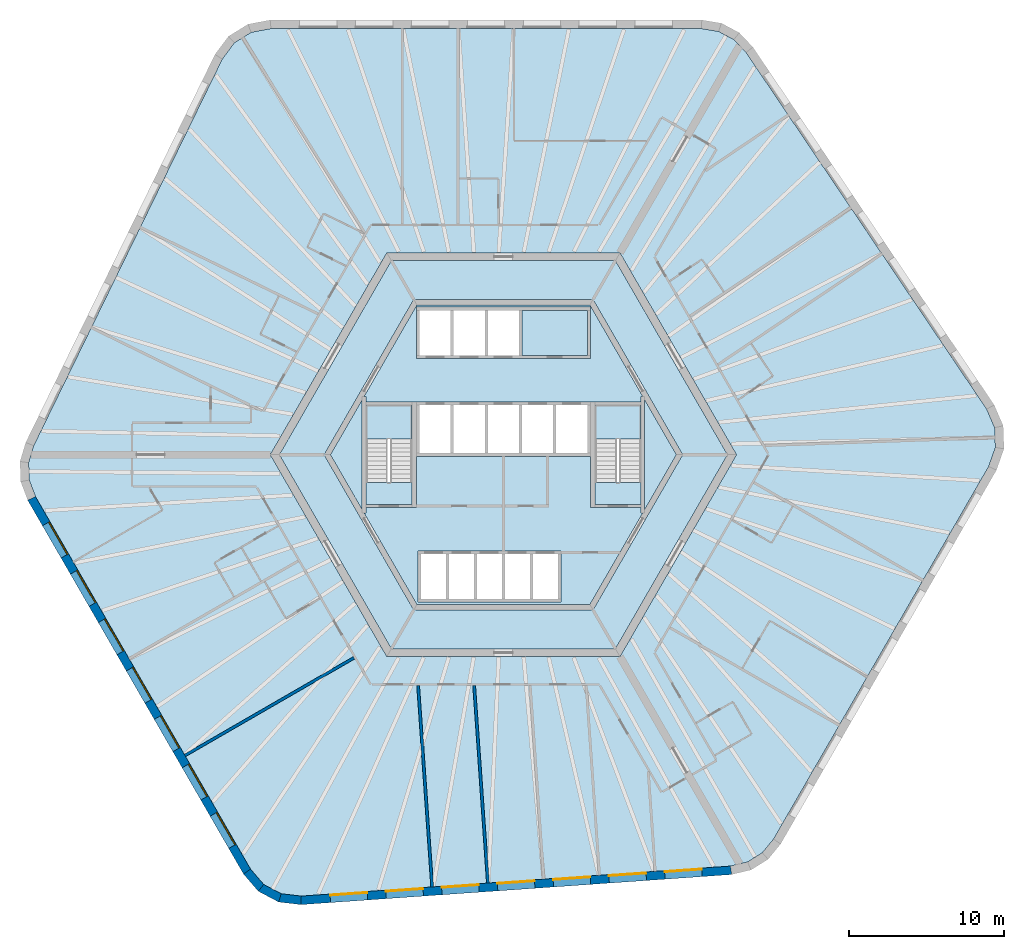
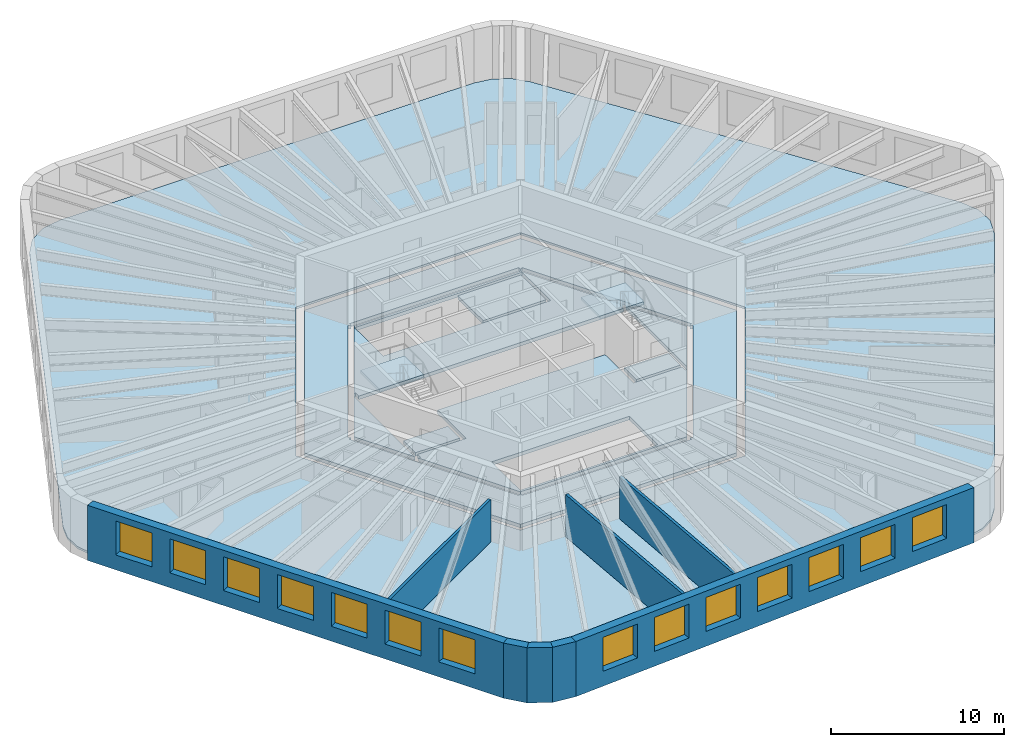
# One storey, part 2 of 10: 14 windows, 11 slabs, 8 walls, 14 openings, 2 elements without a shape of their own.
"""IFC4 building model written with IfcOpenShell, lengths in metres."""

from ifc_helpers import new_model, si_unit, direction, frame, frame_2d, origin, place, context, subcontext, project, spatial, polyline, rectangle, outline, extrude, material, layer, layer_set, type_object, element, fill, aggregate, save


model = new_model("IFC4")

# Units and contexts
model_context = context("Model", 3, precision=1e-05, world=origin(), true_north=direction((0.0, 1.0)))
body_context = subcontext(model_context, "Body", "Model", "MODEL_VIEW")
ifc_project = project(units=[si_unit("LENGTHUNIT", "METRE"), si_unit("AREAUNIT", "SQUARE_METRE"), si_unit("VOLUMEUNIT", "CUBIC_METRE"), si_unit("PLANEANGLEUNIT", "RADIAN"), si_unit("MASSUNIT", "GRAM", prefix="KILO")], contexts=[model_context])

# Site, building, storey
site_placement = place(None, origin())
site = spatial("IfcSite", under=ifc_project, at=site_placement, CompositionType="ELEMENT")
building_placement = place(site_placement, origin())
building = spatial("IfcBuilding", under=site, at=building_placement, Name="Tarnside Tower", CompositionType="ELEMENT")
storey_placement = place(building_placement, frame((0.0, 0.0, 234.60009765625)))
storey = spatial("IfcBuildingStorey", under=building, at=storey_placement, Name="L56", CompositionType="ELEMENT", Elevation=234.60009765625)

# Slabs
ifc_material_1 = material(Name="Concrete C35/45", Category="concrete")
ifc_layer_1 = layer(ifc_material_1, 0.14990234375)
ifc_layer_set_1 = layer_set([ifc_layer_1], Name="Composite floor slab 150")
slab_type_1 = type_object("IfcSlabType", Name="Composite floor slab 150", PredefinedType="FLOOR", material=ifc_layer_set_1)
slab_1_placement = place(storey_placement, frame((0.0, 0.0, -0.150146484375)))
element("IfcSlab", 1, at=slab_1_placement, inside=storey, type_object=slab_type_1, Name="Floor slab L56", PredefinedType="FLOOR", context=body_context, shape_type="SweptSolid", body=[
    extrude(outline(polyline([(13.864013671875, 27.264892578125), (14.85107421875, 26.740234375), (15.6337890625, 25.91064453125), (31.12890625, 2.938232421875), (31.644287109375, 1.7431640625), (31.68896484375, 0.468505859375), (31.258056640625, -0.759521484375), (17.403076171875, -24.7568359375), (16.68017578125, -25.63916015625), (15.732177734375, -26.2314453125), (14.622314453125, -26.494384765625), (-13.02001953125, -28.427490234375), (-14.3125, -28.2763671875), (-15.438720703125, -27.677490234375), (-16.286865234375, -26.6904296875), (-30.1416015625, -2.693115234375), (-30.544189453125, -1.6259765625), (-30.583251953125, -0.5087890625), (-30.256103515625, 0.583984375), (-18.10888671875, 25.4892578125), (-17.331787109375, 26.533203125), (-16.250244140625, 27.208984375), (-14.97119140625, 27.449951171875), (12.738525390625, 27.449951171875), (13.864013671875, 27.264892578125)]), holes=[polyline([(-15.010986328125, 0.0), (-7.505615234375, -13.0), (7.505615234375, -13.0), (15.010986328125, 0.0), (7.505615234375, 13.0), (-7.505615234375, 13.0), (-15.010986328125, 0.0)])]), origin(), (0.0, 0.0, 1.0), 0.150146484375),
])
ifc_material_2 = material(Name="Concrete C40/50", Category="concrete")
ifc_layer_2 = layer(ifc_material_2, 0.25)
ifc_layer_set_2 = layer_set([ifc_layer_2], Name="Core slab C40/50")
slab_type_2 = type_object("IfcSlabType", Name="Core slab C40/50", PredefinedType="FLOOR", material=ifc_layer_set_2)
slab_2_placement = place(storey_placement, frame((0.0, 0.0, -0.25)))
element("IfcSlab", 2, at=slab_2_placement, inside=storey, type_object=slab_type_2, Name="L56 core floor slab 1", PredefinedType="FLOOR", context=body_context, shape_type="SweptSolid", body=[
    extrude(outline(polyline([(-7.216796875, 12.5), (7.216796875, 12.5), (14.433837890625, 0.0), (7.216796875, -12.5), (-7.216796875, -12.5), (-14.433837890625, 0.0), (-7.216796875, 12.5)]), holes=[polyline([(5.823974609375, -9.91259765625), (11.49658203125, -0.08740234375), (11.344970703125, 0.0), (11.49658203125, 0.08740234375), (5.823974609375, 9.91259765625), (5.672607421875, 9.824951171875), (5.672607421875, 10.0), (-5.672607421875, 10.0), (-5.672607421875, 9.824951171875), (-5.823974609375, 9.91259765625), (-11.49658203125, 0.08740234375), (-11.344970703125, 0.0), (-11.49658203125, -0.08740234375), (-5.823974609375, -9.91259765625), (-5.672607421875, -9.824951171875), (-5.672607421875, -10.0), (5.672607421875, -10.0), (5.672607421875, -9.824951171875), (5.823974609375, -9.91259765625)])]), origin(), (0.0, 0.0, 1.0), 0.25),
])
slab_3_placement = place(storey_placement, frame((0.0, 0.0, -0.25)))
element("IfcSlab", 3, at=slab_3_placement, inside=storey, type_object=slab_type_2, Name="L56 core floor slab 2", PredefinedType="FLOOR", context=body_context, shape_type="SweptSolid", body=[
    extrude(outline(polyline([(-8.97509765625, 3.7548828125), (-5.5712890625, 9.64990234375), (5.5712890625, 9.64990234375), (8.97509765625, 3.7548828125), (8.85009765625, 3.7548828125), (8.85009765625, 3.39990234375), (5.89990234375, 3.39990234375), (5.60009765625, 3.39990234375), (5.60009765625, 3.39990234375), (-5.60009765625, 3.39990234375), (-5.89990234375, 3.39990234375), (-8.85009765625, 3.39990234375), (-8.85009765625, 3.7548828125), (-8.97509765625, 3.7548828125)]), holes=[polyline([(-5.60009765625, 6.199951171875), (5.60009765625, 6.199951171875), (5.60009765625, 6.39990234375), (5.60009765625, 9.300048828125), (5.60009765625, 9.5), (-5.60009765625, 9.5), (-5.60009765625, 9.300048828125), (-5.60009765625, 6.39990234375), (-5.60009765625, 6.199951171875)])]), origin(), (0.0, 0.0, 1.0), 0.25),
])
slab_4_placement = place(storey_placement, frame((0.0, 0.0, -0.25)))
element("IfcSlab", 4, at=slab_4_placement, inside=storey, type_object=slab_type_2, Name="L56 core floor slab 3", PredefinedType="FLOOR", context=body_context, shape_type="SweptSolid", body=[
    extrude(outline(polyline([(5.60009765625, -3.39990234375), (5.89990234375, -3.39990234375), (8.85009765625, -3.39990234375), (8.85009765625, -3.7548828125), (8.97509765625, -3.7548828125), (5.5712890625, -9.64990234375), (-5.5712890625, -9.64990234375), (-8.97509765625, -3.7548828125), (-8.85009765625, -3.7548828125), (-8.85009765625, -3.39990234375), (-5.89990234375, -3.39990234375), (-5.60009765625, -3.39990234375), (-5.60009765625, -0.10009765625), (5.60009765625, -0.10009765625), (5.60009765625, -3.39990234375)]), holes=[polyline([(-5.5, -9.300048828125), (-5.5, -9.5), (3.699951171875, -9.5), (3.699951171875, -9.300048828125), (3.699951171875, -6.39990234375), (3.699951171875, -6.199951171875), (-5.5, -6.199951171875), (-5.5, -6.39990234375), (-5.5, -9.300048828125)])]), origin(), (0.0, 0.0, 1.0), 0.25),
])
slab_5_placement = place(storey_placement, frame((0.0, 0.0, -0.25)))
element("IfcSlab", 5, at=slab_5_placement, inside=storey, type_object=slab_type_2, Name="L56 core floor slab 4", PredefinedType="FLOOR", context=body_context, shape_type="SweptSolid", body=[
    extrude(outline(polyline([(-11.142822265625, 0.0), (-9.10009765625, 3.538330078125), (-9.10009765625, -3.538330078125), (-11.142822265625, 0.0)])), origin(), (0.0, 0.0, 1.0), 0.25),
])
slab_6_placement = place(storey_placement, frame((0.0, 0.0, -0.25)))
element("IfcSlab", 6, at=slab_6_placement, inside=storey, type_object=slab_type_2, Name="L56 core floor slab 5", PredefinedType="FLOOR", context=body_context, shape_type="SweptSolid", body=[
    extrude(outline(polyline([(-8.85009765625, -1.800048828125), (-5.89990234375, -1.800048828125), (-5.89990234375, -3.199951171875), (-8.85009765625, -3.199951171875), (-8.85009765625, -1.800048828125)])), origin(), (0.0, 0.0, 1.0), 0.25),
])
slab_7_placement = place(storey_placement, frame((0.0, 0.0, -0.25)))
element("IfcSlab", 7, at=slab_7_placement, inside=storey, type_object=slab_type_2, Name="L56 core floor slab 6", PredefinedType="FLOOR", context=body_context, shape_type="SweptSolid", body=[
    extrude(outline(polyline([(5.89990234375, -3.199951171875), (5.89990234375, -1.800048828125), (8.85009765625, -1.800048828125), (8.85009765625, -3.199951171875), (5.89990234375, -3.199951171875)])), origin(), (0.0, 0.0, 1.0), 0.25),
])
slab_8_placement = place(storey_placement, frame((0.0, 0.0, -0.25)))
element("IfcSlab", 8, at=slab_8_placement, inside=storey, type_object=slab_type_2, Name="L56 core floor slab 7", PredefinedType="FLOOR", context=body_context, shape_type="SweptSolid", body=[
    extrude(outline(polyline([(9.10009765625, -3.538330078125), (9.10009765625, 3.538330078125), (11.142822265625, 0.0), (9.10009765625, -3.538330078125)])), origin(), (0.0, 0.0, 1.0), 0.25),
])
slab_9_placement = place(storey_placement, frame((0.0, 0.0, -0.25)))
element("IfcSlab", 9, at=slab_9_placement, inside=storey, type_object=slab_type_2, Name="L56 core floor slab 8", PredefinedType="FLOOR", context=body_context, shape_type="SweptSolid", body=[
    extrude(outline(polyline([(5.39990234375, 9.300048828125), (5.39990234375, 6.39990234375), (1.199951171875, 6.39990234375), (1.199951171875, 9.300048828125), (5.39990234375, 9.300048828125)])), origin(), (0.0, 0.0, 1.0), 0.25),
])

# Stair, slab
stair_type = type_object("IfcStairType", Name="Exit stair 1400 clear", PredefinedType="HALF_TURN_STAIR", material=ifc_material_2)
stair_1_placement = place(storey_placement, origin())
stair_1 = element("IfcStair", 10, at=stair_1_placement, inside=storey, type_object=stair_type, Name="L56 Exit stair 1", PredefinedType="HALF_TURN_STAIR")
ifc_layer_3 = layer(ifc_material_2, 0.199951171875)
ifc_layer_set_3 = layer_set([ifc_layer_3], Name="Stair landing 200 C40/50")
slab_type_3 = type_object("IfcSlabType", Name="Stair landing 200 C40/50", PredefinedType="LANDING", material=ifc_layer_set_3)
slab_10_placement = place(storey_placement, frame((0.0, 0.0, 1.75)))
slab_10 = element("IfcSlab", 11, at=slab_10_placement, type_object=slab_type_3, Name="ST1 landing 1", PredefinedType="LANDING", context=body_context, shape_type="SweptSolid", body=[
    extrude(outline(polyline([(8.85009765625, 1.0), (8.85009765625, 3.199951171875), (5.89990234375, 3.199951171875), (5.89990234375, 1.0), (8.85009765625, 1.0)])), origin(), (0.0, 0.0, 1.0), 0.199951171875),
])
aggregate(stair_1, [slab_10])

stair_2_placement = place(storey_placement, origin())
stair_2 = element("IfcStair", 12, at=stair_2_placement, inside=storey, type_object=stair_type, Name="L56 Exit stair 2", PredefinedType="HALF_TURN_STAIR")
slab_11_placement = place(storey_placement, frame((0.0, 0.0, 1.75)))
slab_11 = element("IfcSlab", 13, at=slab_11_placement, type_object=slab_type_3, Name="ST2 landing 1", PredefinedType="LANDING", context=body_context, shape_type="SweptSolid", body=[
    extrude(outline(polyline([(-5.89990234375, 1.0), (-5.89990234375, 3.199951171875), (-8.85009765625, 3.199951171875), (-8.85009765625, 1.0), (-5.89990234375, 1.0)])), origin(), (0.0, 0.0, 1.0), 0.199951171875),
])
aggregate(stair_2, [slab_11])

# Walls
ifc_material_3 = material(Name="Gypsum board partition on steel studs", Category="steel")
ifc_layer_4 = layer(ifc_material_3, 0.179931640625)
ifc_layer_set_4 = layer_set([ifc_layer_4], Name="Demising wall 180 EI 60")
wall_type_1 = type_object("IfcWallType", Name="Demising wall 180 EI 60", PredefinedType="PARTITIONING", material=ifc_layer_set_4)
wall_1_placement = place(storey_placement, frame((-20.513427734375, -19.36962890625, 0.0), z_axis=(0.0, 0.0, 1.0), x_axis=(0.866019402111, 0.500010395058, 0.0)))
element("IfcWall", 14, at=wall_1_placement, inside=storey, type_object=wall_type_1, Name="Demising wall 18081", PredefinedType="PARTITIONING", context=body_context, shape_type="SweptSolid", body=[
    extrude(rectangle(XDim=12.574951171875, YDim=0.179931640625, at=frame_2d((6.28759765625, 0.0))), origin(), (0.0, 0.0, 1.0), 2.98779296875),
])
wall_2_placement = place(storey_placement, frame((-4.587158203125, -27.837890625, 0.0), z_axis=(0.0, 0.0, 1.0), x_axis=(-0.069759577234, 0.997563833238, 0.0)))
element("IfcWall", 15, at=wall_2_placement, inside=storey, type_object=wall_type_1, Name="Demising wall 18082", PredefinedType="PARTITIONING", context=body_context, shape_type="SweptSolid", body=[
    extrude(rectangle(XDim=12.99462890625, YDim=0.179931640625, at=frame_2d((6.497314453125, 0.0))), origin(), (0.0, 0.0, 1.0), 2.98779296875),
])
wall_3_placement = place(storey_placement, frame((-0.99609375, -27.586669921875, 0.0), z_axis=(0.0, 0.0, 1.0), x_axis=(-0.069758774678, 0.99756388936, 0.0)))
element("IfcWall", 16, at=wall_3_placement, inside=storey, type_object=wall_type_1, Name="Demising wall 18083", PredefinedType="PARTITIONING", context=body_context, shape_type="SweptSolid", body=[
    extrude(rectangle(XDim=12.74267578125, YDim=0.179931640625, at=frame_2d((6.371337890625, 0.0))), origin(), (0.0, 0.0, 1.0), 2.98779296875),
])

# Wall, openings, windows
ifc_material_4 = material(Name="Facing brick", Category="masonry")
ifc_layer_5 = layer(ifc_material_4, 0.10205078125)
ifc_material_5 = material(Name="Concrete C60/75 precast", Category="concrete")
ifc_layer_6 = layer(ifc_material_5, 0.347900390625)
ifc_material_6 = material(Name="Mineral wool insulation")
ifc_layer_7 = layer(ifc_material_6, 0.10009765625)
ifc_layer_set_5 = layer_set([ifc_layer_5, ifc_layer_6, ifc_layer_7], Name="Tube wall 550 brick faced")
wall_type_2 = type_object("IfcWallType", Name="Tube wall 550 brick faced", PredefinedType="SOLIDWALL", material=ifc_layer_set_5)
wall_4_placement = place(storey_placement, frame((-30.39111328125, -2.81103515625, -0.150146484375), z_axis=(0.0, 0.0, 1.0), x_axis=(0.499998569178, -0.866026229868, 0.0)))
wall_4 = element("IfcWall", 17, at=wall_4_placement, inside=storey, type_object=wall_type_2, Name="Tube wall L56 F3 flush 08", PredefinedType="SOLIDWALL", context=body_context, shape_type="SweptSolid", body=[
    extrude(outline(polyline([(-0.0224609375, -0.27490234375), (27.783447265625, -0.27490234375), (27.732177734375, 0.27490234375), (0.0224609375, 0.27490234375), (-0.0224609375, -0.27490234375)])), origin(), (0.0, 0.0, 1.0), 3.900146484375),
])
opening_1_placement = place(wall_4_placement, frame((1.87890625, 0.0, 1.050048828125)))
opening_1 = element("IfcOpeningElement", 18, at=opening_1_placement, cuts=wall_4, Name="Opening WH", PredefinedType="OPENING", context=body_context, shape_type="SweptSolid", body=[
    extrude(rectangle(XDim=2.39990234375, YDim=2.39990234375, at=frame_2d((1.199951171875, 1.199951171875))), frame((0.0, 0.28515625, 0.0), z_axis=(0.0, -1.0, 0.0), x_axis=(1.0, 0.0, 0.0)), (0.0, 0.0, 1.0), 0.570068359375),
])
opening_2_placement = place(wall_4_placement, frame((5.47900390625, 0.0, 1.050048828125)))
opening_2 = element("IfcOpeningElement", 19, at=opening_2_placement, cuts=wall_4, Name="Opening WH", PredefinedType="OPENING", context=body_context, shape_type="SweptSolid", body=[
    extrude(rectangle(XDim=2.39990234375, YDim=2.39990234375, at=frame_2d((1.199951171875, 1.199951171875))), frame((0.0, 0.28515625, 0.0), z_axis=(0.0, -1.0, 0.0), x_axis=(1.0, 0.0, 0.0)), (0.0, 0.0, 1.0), 0.570068359375),
])
opening_3_placement = place(wall_4_placement, frame((9.078857421875, 0.0, 1.050048828125)))
opening_3 = element("IfcOpeningElement", 20, at=opening_3_placement, cuts=wall_4, Name="Opening WH", PredefinedType="OPENING", context=body_context, shape_type="SweptSolid", body=[
    extrude(rectangle(XDim=2.39990234375, YDim=2.39990234375, at=frame_2d((1.199951171875, 1.199951171875))), frame((0.0, 0.28515625, 0.0), z_axis=(0.0, -1.0, 0.0), x_axis=(1.0, 0.0, 0.0)), (0.0, 0.0, 1.0), 0.570068359375),
])
opening_4_placement = place(wall_4_placement, frame((12.678955078125, 0.0, 1.050048828125)))
opening_4 = element("IfcOpeningElement", 21, at=opening_4_placement, cuts=wall_4, Name="Opening WH", PredefinedType="OPENING", context=body_context, shape_type="SweptSolid", body=[
    extrude(rectangle(XDim=2.39990234375, YDim=2.39990234375, at=frame_2d((1.199951171875, 1.199951171875))), frame((0.0, 0.28515625, 0.0), z_axis=(0.0, -1.0, 0.0), x_axis=(1.0, 0.0, 0.0)), (0.0, 0.0, 1.0), 0.570068359375),
])
opening_5_placement = place(wall_4_placement, frame((16.27880859375, 0.0, 1.050048828125)))
opening_5 = element("IfcOpeningElement", 22, at=opening_5_placement, cuts=wall_4, Name="Opening WH", PredefinedType="OPENING", context=body_context, shape_type="SweptSolid", body=[
    extrude(rectangle(XDim=2.39990234375, YDim=2.39990234375, at=frame_2d((1.199951171875, 1.199951171875))), frame((0.0, 0.28515625, 0.0), z_axis=(0.0, -1.0, 0.0), x_axis=(1.0, 0.0, 0.0)), (0.0, 0.0, 1.0), 0.570068359375),
])
opening_6_placement = place(wall_4_placement, frame((19.87890625, 0.0, 1.050048828125)))
opening_6 = element("IfcOpeningElement", 23, at=opening_6_placement, cuts=wall_4, Name="Opening WH", PredefinedType="OPENING", context=body_context, shape_type="SweptSolid", body=[
    extrude(rectangle(XDim=2.39990234375, YDim=2.39990234375, at=frame_2d((1.199951171875, 1.199951171875))), frame((0.0, 0.28515625, 0.0), z_axis=(0.0, -1.0, 0.0), x_axis=(1.0, 0.0, 0.0)), (0.0, 0.0, 1.0), 0.570068359375),
])
opening_7_placement = place(wall_4_placement, frame((23.47900390625, 0.0, 1.050048828125)))
opening_7 = element("IfcOpeningElement", 24, at=opening_7_placement, cuts=wall_4, Name="Opening WH", PredefinedType="OPENING", context=body_context, shape_type="SweptSolid", body=[
    extrude(rectangle(XDim=2.39990234375, YDim=2.39990234375, at=frame_2d((1.199951171875, 1.199951171875))), frame((0.0, 0.28515625, 0.0), z_axis=(0.0, -1.0, 0.0), x_axis=(1.0, 0.0, 0.0)), (0.0, 0.0, 1.0), 0.570068359375),
])
ifc_material_7 = material(Name="Aluminium-framed double glazing", Category="aluminium")
window_type = type_object("IfcWindowType", Name="Hotel window 2400 x 2400", PartitioningType="DOUBLE_PANEL_VERTICAL", PredefinedType="WINDOW", material=ifc_material_7)
window_1_placement = place(opening_1_placement, frame((0.0, 0.205078125, 0.0)))
window_1 = element("IfcWindow", 25, at=window_1_placement, inside=storey, type_object=window_type, Name="E.WN.L56.F3.00", OverallHeight=2.39990234375, OverallWidth=2.39990234375, PartitioningType="DOUBLE_PANEL_VERTICAL", PredefinedType="WINDOW", context=body_context, shape_type="SweptSolid", body=[
    extrude(rectangle(XDim=2.39990234375, YDim=2.39990234375, at=frame_2d((1.199951171875, 1.199951171875))), frame((0.0, 0.030029296875, 0.0), z_axis=(0.0, -1.0, 0.0), x_axis=(1.0, 0.0, 0.0)), (0.0, 0.0, 1.0), 0.06005859375),
])
fill(opening_1, window_1)
window_2_placement = place(opening_2_placement, frame((0.0, 0.205078125, 0.0)))
window_2 = element("IfcWindow", 26, at=window_2_placement, inside=storey, type_object=window_type, Name="E.WN.L56.F3.01", OverallHeight=2.39990234375, OverallWidth=2.39990234375, PartitioningType="DOUBLE_PANEL_VERTICAL", PredefinedType="WINDOW", context=body_context, shape_type="SweptSolid", body=[
    extrude(rectangle(XDim=2.39990234375, YDim=2.39990234375, at=frame_2d((1.199951171875, 1.199951171875))), frame((0.0, 0.030029296875, 0.0), z_axis=(0.0, -1.0, 0.0), x_axis=(1.0, 0.0, 0.0)), (0.0, 0.0, 1.0), 0.06005859375),
])
fill(opening_2, window_2)
window_3_placement = place(opening_3_placement, frame((0.0, 0.205078125, 0.0)))
window_3 = element("IfcWindow", 27, at=window_3_placement, inside=storey, type_object=window_type, Name="E.WN.L56.F3.02", OverallHeight=2.39990234375, OverallWidth=2.39990234375, PartitioningType="DOUBLE_PANEL_VERTICAL", PredefinedType="WINDOW", context=body_context, shape_type="SweptSolid", body=[
    extrude(rectangle(XDim=2.39990234375, YDim=2.39990234375, at=frame_2d((1.199951171875, 1.199951171875))), frame((0.0, 0.030029296875, 0.0), z_axis=(0.0, -1.0, 0.0), x_axis=(1.0, 0.0, 0.0)), (0.0, 0.0, 1.0), 0.06005859375),
])
fill(opening_3, window_3)
window_4_placement = place(opening_4_placement, frame((0.0, 0.205078125, 0.0)))
window_4 = element("IfcWindow", 28, at=window_4_placement, inside=storey, type_object=window_type, Name="E.WN.L56.F3.03", OverallHeight=2.39990234375, OverallWidth=2.39990234375, PartitioningType="DOUBLE_PANEL_VERTICAL", PredefinedType="WINDOW", context=body_context, shape_type="SweptSolid", body=[
    extrude(rectangle(XDim=2.39990234375, YDim=2.39990234375, at=frame_2d((1.199951171875, 1.199951171875))), frame((0.0, 0.030029296875, 0.0), z_axis=(0.0, -1.0, 0.0), x_axis=(1.0, 0.0, 0.0)), (0.0, 0.0, 1.0), 0.06005859375),
])
fill(opening_4, window_4)
window_5_placement = place(opening_5_placement, frame((0.0, 0.205078125, 0.0)))
window_5 = element("IfcWindow", 29, at=window_5_placement, inside=storey, type_object=window_type, Name="E.WN.L56.F3.04", OverallHeight=2.39990234375, OverallWidth=2.39990234375, PartitioningType="DOUBLE_PANEL_VERTICAL", PredefinedType="WINDOW", context=body_context, shape_type="SweptSolid", body=[
    extrude(rectangle(XDim=2.39990234375, YDim=2.39990234375, at=frame_2d((1.199951171875, 1.199951171875))), frame((0.0, 0.030029296875, 0.0), z_axis=(0.0, -1.0, 0.0), x_axis=(1.0, 0.0, 0.0)), (0.0, 0.0, 1.0), 0.06005859375),
])
fill(opening_5, window_5)
window_6_placement = place(opening_6_placement, frame((0.0, 0.205078125, 0.0)))
window_6 = element("IfcWindow", 30, at=window_6_placement, inside=storey, type_object=window_type, Name="E.WN.L56.F3.05", OverallHeight=2.39990234375, OverallWidth=2.39990234375, PartitioningType="DOUBLE_PANEL_VERTICAL", PredefinedType="WINDOW", context=body_context, shape_type="SweptSolid", body=[
    extrude(rectangle(XDim=2.39990234375, YDim=2.39990234375, at=frame_2d((1.199951171875, 1.199951171875))), frame((0.0, 0.030029296875, 0.0), z_axis=(0.0, -1.0, 0.0), x_axis=(1.0, 0.0, 0.0)), (0.0, 0.0, 1.0), 0.06005859375),
])
fill(opening_6, window_6)
window_7_placement = place(opening_7_placement, frame((0.0, 0.205078125, 0.0)))
window_7 = element("IfcWindow", 31, at=window_7_placement, inside=storey, type_object=window_type, Name="E.WN.L56.F3.06", OverallHeight=2.39990234375, OverallWidth=2.39990234375, PartitioningType="DOUBLE_PANEL_VERTICAL", PredefinedType="WINDOW", context=body_context, shape_type="SweptSolid", body=[
    extrude(rectangle(XDim=2.39990234375, YDim=2.39990234375, at=frame_2d((1.199951171875, 1.199951171875))), frame((0.0, 0.030029296875, 0.0), z_axis=(0.0, -1.0, 0.0), x_axis=(1.0, 0.0, 0.0)), (0.0, 0.0, 1.0), 0.06005859375),
])
fill(opening_7, window_7)

# Walls
wall_5_placement = place(storey_placement, frame((-16.51220703125, -26.85009765625, -0.150146484375), z_axis=(0.0, 0.0, 1.0), x_axis=(0.651621950847, -0.758543890078, 0.0)))
element("IfcWall", 32, at=wall_5_placement, inside=storey, type_object=wall_type_2, Name="Tube wall L56 F3 chord 09", PredefinedType="SOLIDWALL", context=body_context, shape_type="SweptSolid", body=[
    extrude(outline(polyline([(-0.025634765625, -0.27490234375), (1.430908203125, -0.27490234375), (1.327392578125, 0.27490234375), (0.025634765625, 0.27490234375), (-0.025634765625, -0.27490234375)])), origin(), (0.0, 0.0, 1.0), 3.900146484375),
])
wall_6_placement = place(storey_placement, frame((-15.613525390625, -27.896240234375, -0.150146484375), z_axis=(0.0, 0.0, 1.0), x_axis=(0.882994189209, -0.469383917304, 0.0)))
element("IfcWall", 33, at=wall_6_placement, inside=storey, type_object=wall_type_2, Name="Tube wall L56 F3 chord 10", PredefinedType="SOLIDWALL", context=body_context, shape_type="SweptSolid", body=[
    extrude(outline(polyline([(-0.0517578125, -0.27490234375), (1.4306640625, -0.27490234375), (1.3271484375, 0.27490234375), (0.0517578125, 0.27490234375), (-0.0517578125, -0.27490234375)])), origin(), (0.0, 0.0, 1.0), 3.900146484375),
])
wall_7_placement = place(storey_placement, frame((-14.39599609375, -28.54345703125, -0.150146484375), z_axis=(0.0, 0.0, 1.0), x_axis=(0.993232537394, -0.11614269956, 0.0)))
element("IfcWall", 34, at=wall_7_placement, inside=storey, type_object=wall_type_2, Name="Tube wall L56 F3 chord 11", PredefinedType="SOLIDWALL", context=body_context, shape_type="SweptSolid", body=[
    extrude(outline(polyline([(-0.0517578125, -0.27490234375), (1.404541015625, -0.27490234375), (1.353271484375, 0.27490234375), (0.0517578125, 0.27490234375), (-0.0517578125, -0.27490234375)])), origin(), (0.0, 0.0, 1.0), 3.900146484375),
])

# Wall, openings, windows
wall_8_placement = place(storey_placement, frame((-13.0263671875, -28.70361328125, -0.150146484375), z_axis=(0.0, 0.0, 1.0), x_axis=(0.99756406806, 0.069756219185, 0.0)))
wall_8 = element("IfcWall", 35, at=wall_8_placement, inside=storey, type_object=wall_type_2, Name="Tube wall L56 F4 flush 12", PredefinedType="SOLIDWALL", context=body_context, shape_type="SweptSolid", body=[
    extrude(outline(polyline([(-0.025634765625, -0.27490234375), (27.7802734375, -0.27490234375), (27.7353515625, 0.27490234375), (0.025634765625, 0.27490234375), (-0.025634765625, -0.27490234375)])), origin(), (0.0, 0.0, 1.0), 3.900146484375),
])
opening_8_placement = place(wall_8_placement, frame((1.87890625, 0.0, 1.050048828125)))
opening_8 = element("IfcOpeningElement", 36, at=opening_8_placement, cuts=wall_8, Name="Opening WH", PredefinedType="OPENING", context=body_context, shape_type="SweptSolid", body=[
    extrude(rectangle(XDim=2.39990234375, YDim=2.39990234375, at=frame_2d((1.199951171875, 1.199951171875))), frame((0.0, 0.28515625, 0.0), z_axis=(0.0, -1.0, 0.0), x_axis=(1.0, 0.0, 0.0)), (0.0, 0.0, 1.0), 0.570068359375),
])
opening_9_placement = place(wall_8_placement, frame((5.47900390625, 0.0, 1.050048828125)))
opening_9 = element("IfcOpeningElement", 37, at=opening_9_placement, cuts=wall_8, Name="Opening WH", PredefinedType="OPENING", context=body_context, shape_type="SweptSolid", body=[
    extrude(rectangle(XDim=2.39990234375, YDim=2.39990234375, at=frame_2d((1.199951171875, 1.199951171875))), frame((0.0, 0.28515625, 0.0), z_axis=(0.0, -1.0, 0.0), x_axis=(1.0, 0.0, 0.0)), (0.0, 0.0, 1.0), 0.570068359375),
])
opening_10_placement = place(wall_8_placement, frame((9.078857421875, 0.0, 1.050048828125)))
opening_10 = element("IfcOpeningElement", 38, at=opening_10_placement, cuts=wall_8, Name="Opening WH", PredefinedType="OPENING", context=body_context, shape_type="SweptSolid", body=[
    extrude(rectangle(XDim=2.39990234375, YDim=2.39990234375, at=frame_2d((1.199951171875, 1.199951171875))), frame((0.0, 0.28515625, 0.0), z_axis=(0.0, -1.0, 0.0), x_axis=(1.0, 0.0, 0.0)), (0.0, 0.0, 1.0), 0.570068359375),
])
opening_11_placement = place(wall_8_placement, frame((12.678955078125, 0.0, 1.050048828125)))
opening_11 = element("IfcOpeningElement", 39, at=opening_11_placement, cuts=wall_8, Name="Opening WH", PredefinedType="OPENING", context=body_context, shape_type="SweptSolid", body=[
    extrude(rectangle(XDim=2.39990234375, YDim=2.39990234375, at=frame_2d((1.199951171875, 1.199951171875))), frame((0.0, 0.28515625, 0.0), z_axis=(0.0, -1.0, 0.0), x_axis=(1.0, 0.0, 0.0)), (0.0, 0.0, 1.0), 0.570068359375),
])
opening_12_placement = place(wall_8_placement, frame((16.27880859375, 0.0, 1.050048828125)))
opening_12 = element("IfcOpeningElement", 40, at=opening_12_placement, cuts=wall_8, Name="Opening WH", PredefinedType="OPENING", context=body_context, shape_type="SweptSolid", body=[
    extrude(rectangle(XDim=2.39990234375, YDim=2.39990234375, at=frame_2d((1.199951171875, 1.199951171875))), frame((0.0, 0.28515625, 0.0), z_axis=(0.0, -1.0, 0.0), x_axis=(1.0, 0.0, 0.0)), (0.0, 0.0, 1.0), 0.570068359375),
])
opening_13_placement = place(wall_8_placement, frame((19.87890625, 0.0, 1.050048828125)))
opening_13 = element("IfcOpeningElement", 41, at=opening_13_placement, cuts=wall_8, Name="Opening WH", PredefinedType="OPENING", context=body_context, shape_type="SweptSolid", body=[
    extrude(rectangle(XDim=2.39990234375, YDim=2.39990234375, at=frame_2d((1.199951171875, 1.199951171875))), frame((0.0, 0.28515625, 0.0), z_axis=(0.0, -1.0, 0.0), x_axis=(1.0, 0.0, 0.0)), (0.0, 0.0, 1.0), 0.570068359375),
])
opening_14_placement = place(wall_8_placement, frame((23.47900390625, 0.0, 1.050048828125)))
opening_14 = element("IfcOpeningElement", 42, at=opening_14_placement, cuts=wall_8, Name="Opening WH", PredefinedType="OPENING", context=body_context, shape_type="SweptSolid", body=[
    extrude(rectangle(XDim=2.39990234375, YDim=2.39990234375, at=frame_2d((1.199951171875, 1.199951171875))), frame((0.0, 0.28515625, 0.0), z_axis=(0.0, -1.0, 0.0), x_axis=(1.0, 0.0, 0.0)), (0.0, 0.0, 1.0), 0.570068359375),
])
window_8_placement = place(opening_8_placement, frame((0.0, 0.205078125, 0.0)))
window_8 = element("IfcWindow", 43, at=window_8_placement, inside=storey, type_object=window_type, Name="E.WN.L56.F4.00", OverallHeight=2.39990234375, OverallWidth=2.39990234375, PartitioningType="DOUBLE_PANEL_VERTICAL", PredefinedType="WINDOW", context=body_context, shape_type="SweptSolid", body=[
    extrude(rectangle(XDim=2.39990234375, YDim=2.39990234375, at=frame_2d((1.199951171875, 1.199951171875))), frame((0.0, 0.030029296875, 0.0), z_axis=(0.0, -1.0, 0.0), x_axis=(1.0, 0.0, 0.0)), (0.0, 0.0, 1.0), 0.06005859375),
])
fill(opening_8, window_8)
window_9_placement = place(opening_9_placement, frame((0.0, 0.205078125, 0.0)))
window_9 = element("IfcWindow", 44, at=window_9_placement, inside=storey, type_object=window_type, Name="E.WN.L56.F4.01", OverallHeight=2.39990234375, OverallWidth=2.39990234375, PartitioningType="DOUBLE_PANEL_VERTICAL", PredefinedType="WINDOW", context=body_context, shape_type="SweptSolid", body=[
    extrude(rectangle(XDim=2.39990234375, YDim=2.39990234375, at=frame_2d((1.199951171875, 1.199951171875))), frame((0.0, 0.030029296875, 0.0), z_axis=(0.0, -1.0, 0.0), x_axis=(1.0, 0.0, 0.0)), (0.0, 0.0, 1.0), 0.06005859375),
])
fill(opening_9, window_9)
window_10_placement = place(opening_10_placement, frame((0.0, 0.205078125, 0.0)))
window_10 = element("IfcWindow", 45, at=window_10_placement, inside=storey, type_object=window_type, Name="E.WN.L56.F4.02", OverallHeight=2.39990234375, OverallWidth=2.39990234375, PartitioningType="DOUBLE_PANEL_VERTICAL", PredefinedType="WINDOW", context=body_context, shape_type="SweptSolid", body=[
    extrude(rectangle(XDim=2.39990234375, YDim=2.39990234375, at=frame_2d((1.199951171875, 1.199951171875))), frame((0.0, 0.030029296875, 0.0), z_axis=(0.0, -1.0, 0.0), x_axis=(1.0, 0.0, 0.0)), (0.0, 0.0, 1.0), 0.06005859375),
])
fill(opening_10, window_10)
window_11_placement = place(opening_11_placement, frame((0.0, 0.205078125, 0.0)))
window_11 = element("IfcWindow", 46, at=window_11_placement, inside=storey, type_object=window_type, Name="E.WN.L56.F4.03", OverallHeight=2.39990234375, OverallWidth=2.39990234375, PartitioningType="DOUBLE_PANEL_VERTICAL", PredefinedType="WINDOW", context=body_context, shape_type="SweptSolid", body=[
    extrude(rectangle(XDim=2.39990234375, YDim=2.39990234375, at=frame_2d((1.199951171875, 1.199951171875))), frame((0.0, 0.030029296875, 0.0), z_axis=(0.0, -1.0, 0.0), x_axis=(1.0, 0.0, 0.0)), (0.0, 0.0, 1.0), 0.06005859375),
])
fill(opening_11, window_11)
window_12_placement = place(opening_12_placement, frame((0.0, 0.205078125, 0.0)))
window_12 = element("IfcWindow", 47, at=window_12_placement, inside=storey, type_object=window_type, Name="E.WN.L56.F4.04", OverallHeight=2.39990234375, OverallWidth=2.39990234375, PartitioningType="DOUBLE_PANEL_VERTICAL", PredefinedType="WINDOW", context=body_context, shape_type="SweptSolid", body=[
    extrude(rectangle(XDim=2.39990234375, YDim=2.39990234375, at=frame_2d((1.199951171875, 1.199951171875))), frame((0.0, 0.030029296875, 0.0), z_axis=(0.0, -1.0, 0.0), x_axis=(1.0, 0.0, 0.0)), (0.0, 0.0, 1.0), 0.06005859375),
])
fill(opening_12, window_12)
window_13_placement = place(opening_13_placement, frame((0.0, 0.205078125, 0.0)))
window_13 = element("IfcWindow", 48, at=window_13_placement, inside=storey, type_object=window_type, Name="E.WN.L56.F4.05", OverallHeight=2.39990234375, OverallWidth=2.39990234375, PartitioningType="DOUBLE_PANEL_VERTICAL", PredefinedType="WINDOW", context=body_context, shape_type="SweptSolid", body=[
    extrude(rectangle(XDim=2.39990234375, YDim=2.39990234375, at=frame_2d((1.199951171875, 1.199951171875))), frame((0.0, 0.030029296875, 0.0), z_axis=(0.0, -1.0, 0.0), x_axis=(1.0, 0.0, 0.0)), (0.0, 0.0, 1.0), 0.06005859375),
])
fill(opening_13, window_13)
window_14_placement = place(opening_14_placement, frame((0.0, 0.205078125, 0.0)))
window_14 = element("IfcWindow", 49, at=window_14_placement, inside=storey, type_object=window_type, Name="E.WN.L56.F4.06", OverallHeight=2.39990234375, OverallWidth=2.39990234375, PartitioningType="DOUBLE_PANEL_VERTICAL", PredefinedType="WINDOW", context=body_context, shape_type="SweptSolid", body=[
    extrude(rectangle(XDim=2.39990234375, YDim=2.39990234375, at=frame_2d((1.199951171875, 1.199951171875))), frame((0.0, 0.030029296875, 0.0), z_axis=(0.0, -1.0, 0.0), x_axis=(1.0, 0.0, 0.0)), (0.0, 0.0, 1.0), 0.06005859375),
])
fill(opening_14, window_14)

save(model, "model.ifc")
